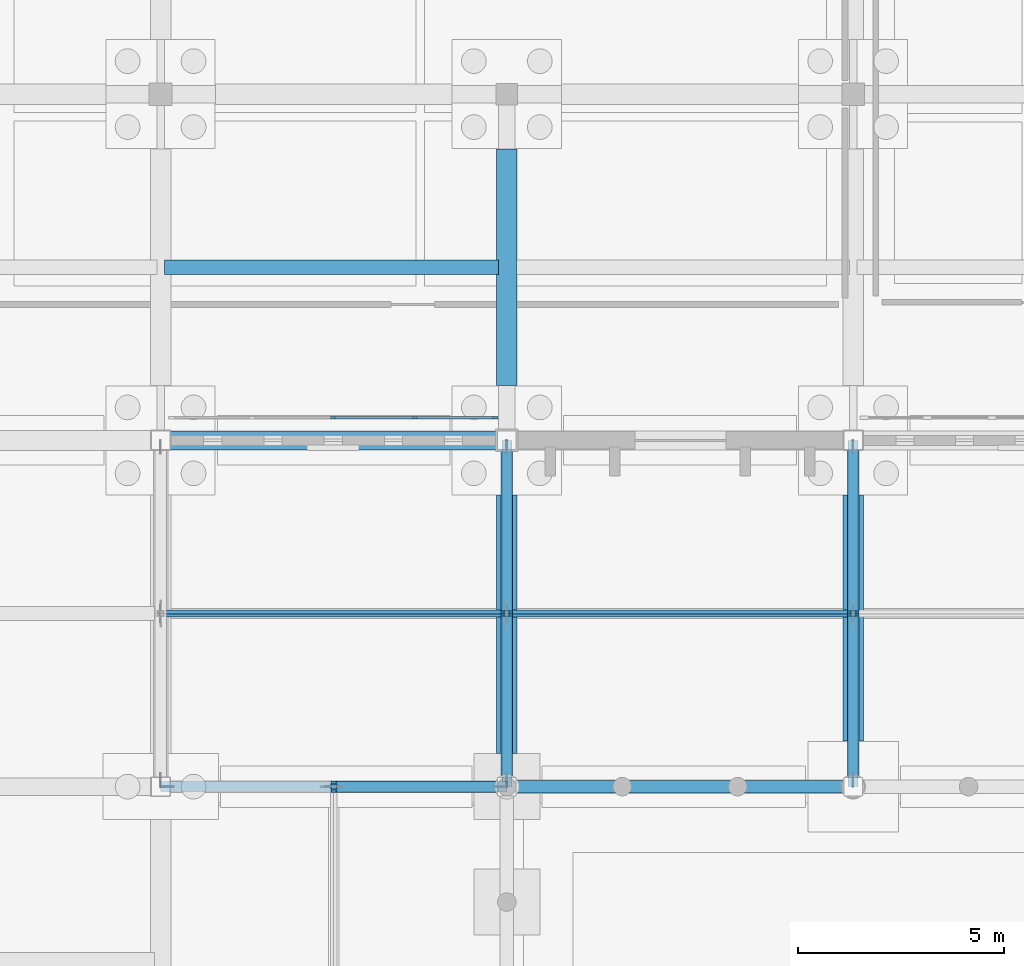
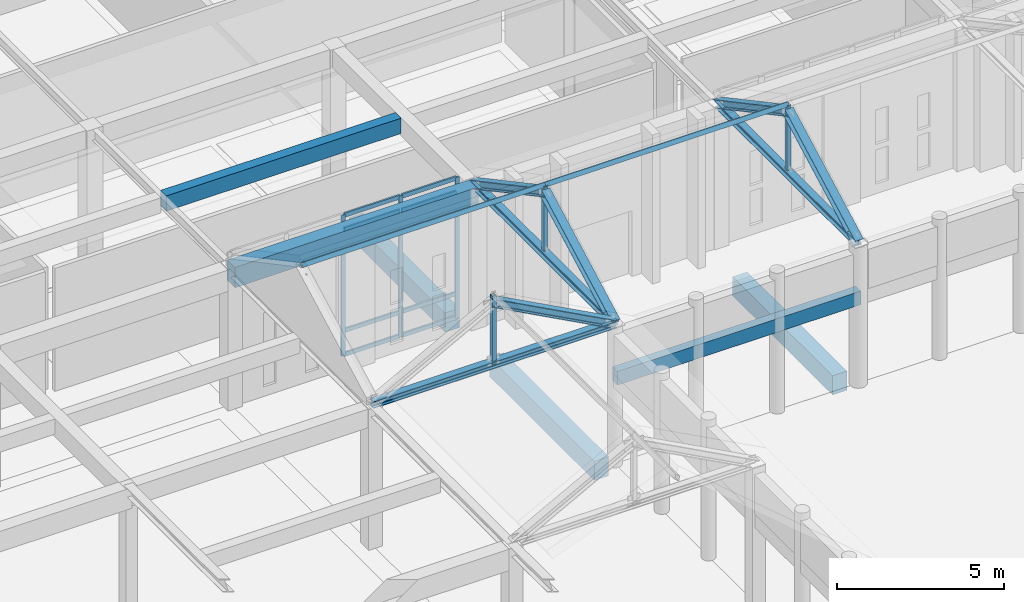
# One storey, part 59 of 143: 24 members, 6 beams, 1 element without a shape of its own.
"""IFC4 building model written with IfcOpenShell, lengths in metres."""

from ifc_helpers import new_model, si_unit, direction, frame, origin, origin_2d, place, context, subcontext, project, spatial, rectangle, hollow_rectangle, i_section, extrude, material, layer, layer_set, material_profile, profile_set, type_object, element, aggregate, save


model = new_model("IFC4")

# Units and contexts
model_context = context("Model", 3, precision=1e-05, world=origin(), true_north=direction((0.0, 1.0)))
body_context = subcontext(model_context, "Body", "Model", "MODEL_VIEW")
ifc_project = project(units=[si_unit("LENGTHUNIT", "METRE"), si_unit("AREAUNIT", "SQUARE_METRE"), si_unit("VOLUMEUNIT", "CUBIC_METRE"), si_unit("PLANEANGLEUNIT", "RADIAN"), si_unit("MASSUNIT", "GRAM", prefix="KILO")], contexts=[model_context])

# Site, building, storey
site_placement = place(None, origin())
site = spatial("IfcSite", under=ifc_project, at=site_placement, CompositionType="ELEMENT")
building_placement = place(site_placement, origin())
building = spatial("IfcBuilding", under=site, at=building_placement, Name="Kveldsbrygga Polytechnic", CompositionType="ELEMENT")
storey_placement = place(building_placement, origin())
storey = spatial("IfcBuildingStorey", under=building, at=storey_placement, Name="L00", CompositionType="ELEMENT", Elevation=0.0)

# Beams
ifc_material_1 = material(Name="Concrete C35/45", Category="concrete")
ifc_material_profile_1 = material_profile(ifc_material_1, rectangle(XDim=0.4599609375, YDim=0.739990234375, at=origin_2d()), Name="RC 460x740")
ifc_profile_set_1 = profile_set([ifc_material_profile_1], Name="Concrete C35/45")
beam_type_1 = type_object("IfcBeamType", Name="BM-RC-460x740", PredefinedType="BEAM", material=ifc_profile_set_1)
beam_1_placement = place(storey_placement, frame((75.60009765625, 84.0, 4.77001953125), z_axis=(1.0, 0.0, 0.0), x_axis=(0.0, 1.0, 0.0)))
element("IfcBeam", 1, at=beam_1_placement, inside=storey, type_object=beam_type_1, Name="Primary Beam BMX-L00-09to10-10", PredefinedType="BEAM", context=body_context, shape_type="SweptSolid", body=[
    extrude(rectangle(XDim=0.4599609375, YDim=0.739990234375, at=origin_2d()), origin(), (0.0, 0.0, 1.0), 8.39990234375),
])
ifc_material_profile_2 = material_profile(ifc_material_1, rectangle(XDim=0.5, YDim=0.699951171875, at=origin_2d()), Name="RC 500x700")
ifc_profile_set_2 = profile_set([ifc_material_profile_2], Name="Concrete C35/45")
beam_type_2 = type_object("IfcBeamType", Name="BM-TIE-500x700", PredefinedType="BEAM", material=ifc_profile_set_2)
beam_2_placement = place(storey_placement, frame((84.0, 76.402099609375, -0.669921875), z_axis=(0.0, 1.0, 0.0), x_axis=(-1.0, 0.0, 0.0)))
element("IfcBeam", 2, at=beam_2_placement, inside=storey, type_object=beam_type_2, Name="Ground Tie Beam GB-L00-Y-10-09", PredefinedType="BEAM", context=body_context, shape_type="SweptSolid", body=[
    extrude(rectangle(XDim=0.5, YDim=0.699951171875, at=origin_2d()), origin(), (0.0, 0.0, 1.0), 6.27099609375),
])
beam_3_placement = place(storey_placement, frame((84.0, 85.326904296875, -0.669921875), z_axis=(0.0, 1.0, 0.0), x_axis=(-1.0, 0.0, 0.0)))
element("IfcBeam", 3, at=beam_3_placement, inside=storey, type_object=beam_type_2, Name="Ground Tie Beam GB-L00-Y-10-10", PredefinedType="BEAM", context=body_context, shape_type="SweptSolid", body=[
    extrude(rectangle(XDim=0.5, YDim=0.699951171875, at=origin_2d()), origin(), (0.0, 0.0, 1.0), 5.74609375),
])
beam_4_placement = place(storey_placement, frame((92.39990234375, 76.701904296875, -0.669921875), z_axis=(0.0, 1.0, 0.0), x_axis=(-1.0, 0.0, 0.0)))
element("IfcBeam", 4, at=beam_4_placement, inside=storey, type_object=beam_type_2, Name="Ground Tie Beam GB-L00-Y-11-09", PredefinedType="BEAM", context=body_context, shape_type="SweptSolid", body=[
    extrude(rectangle(XDim=0.5, YDim=0.699951171875, at=origin_2d()), origin(), (0.0, 0.0, 1.0), 5.97119140625),
])

# Curtain wall, members
ifc_material_2 = material(Name="Anodised aluminium AW-6060", Category="aluminium")
ifc_layer = layer(ifc_material_2, 0.199951171875)
ifc_layer_set = layer_set([ifc_layer], Name="Anodised aluminium AW-6060")
curtain_wall_type = type_object("IfcCurtainWallType", Name="CW-LANC-E", PredefinedType="USERDEFINED", material=ifc_layer_set)
curtain_wall_placement = place(storey_placement, origin())
curtain_wall = element("IfcCurtainWall", 5, at=curtain_wall_placement, inside=storey, type_object=curtain_wall_type, Name="Curtain Wall CW-L00-X-09-10", ObjectType="UNITISED CURTAIN WALL", PredefinedType="USERDEFINED")
ifc_material_profile_3 = material_profile(ifc_material_2, rectangle(XDim=0.06005859375, YDim=0.139892578125, at=origin_2d()), Name="ALU 60x140")
ifc_profile_set_3 = profile_set([ifc_material_profile_3], Name="Anodised aluminium AW-6060")
member_type_1 = type_object("IfcMemberType", Name="CW-MUL-140", PredefinedType="MULLION", material=ifc_profile_set_3)
member_1_placement = place(storey_placement, frame((79.78759765625, 84.550048828125, 0.0), z_axis=(0.0, 0.0, 1.0), x_axis=(0.0, 1.0, 0.0)))
member_1 = element("IfcMember", 6, at=member_1_placement, type_object=member_type_1, Name="CW-05 mullion 3", PredefinedType="MULLION", context=body_context, shape_type="SweptSolid", body=[
    extrude(rectangle(XDim=0.06005859375, YDim=0.139892578125, at=origin_2d()), origin(), (0.0, 0.0, 1.0), 5.139892578125),
])
member_2_placement = place(storey_placement, frame((81.763671875, 84.550048828125, 0.0), z_axis=(0.0, 0.0, 1.0), x_axis=(0.0, 1.0, 0.0)))
member_2 = element("IfcMember", 7, at=member_2_placement, type_object=member_type_1, Name="CW-05 mullion 4", PredefinedType="MULLION", context=body_context, shape_type="SweptSolid", body=[
    extrude(rectangle(XDim=0.06005859375, YDim=0.139892578125, at=origin_2d()), origin(), (0.0, 0.0, 1.0), 5.139892578125),
])
member_3_placement = place(storey_placement, frame((83.7099609375, 84.550048828125, 0.0), z_axis=(0.0, 0.0, 1.0), x_axis=(0.0, 1.0, 0.0)))
member_3 = element("IfcMember", 8, at=member_3_placement, type_object=member_type_1, Name="CW-05 mullion 5", PredefinedType="MULLION", context=body_context, shape_type="SweptSolid", body=[
    extrude(rectangle(XDim=0.06005859375, YDim=0.139892578125, at=origin_2d()), origin(), (0.0, 0.0, 1.0), 5.139892578125),
])
ifc_material_profile_4 = material_profile(ifc_material_2, rectangle(XDim=0.06005859375, YDim=0.14990234375, at=origin_2d()), Name="ALU 60x150")
ifc_profile_set_4 = profile_set([ifc_material_profile_4], Name="Anodised aluminium AW-6060")
member_type_2 = type_object("IfcMemberType", Name="CW-TRN-150", PredefinedType="USERDEFINED", material=ifc_profile_set_4)
member_4_placement = place(storey_placement, frame((79.8173828125, 84.550048828125, 0.030029296875), z_axis=(1.0, 0.0, 0.0), x_axis=(0.0, 1.0, 0.0)))
member_4 = element("IfcMember", 9, at=member_4_placement, type_object=member_type_2, Name="CW-05 transom 3.1", ObjectType="TRANSOM", PredefinedType="USERDEFINED", context=body_context, shape_type="SweptSolid", body=[
    extrude(rectangle(XDim=0.06005859375, YDim=0.14990234375, at=origin_2d()), origin(), (0.0, 0.0, 1.0), 1.916259765625),
])
member_5_placement = place(storey_placement, frame((79.8173828125, 84.550048828125, 0.89990234375), z_axis=(1.0, 0.0, 0.0), x_axis=(0.0, 1.0, 0.0)))
member_5 = element("IfcMember", 10, at=member_5_placement, type_object=member_type_2, Name="CW-05 transom 3.2", ObjectType="TRANSOM", PredefinedType="USERDEFINED", context=body_context, shape_type="SweptSolid", body=[
    extrude(rectangle(XDim=0.06005859375, YDim=0.14990234375, at=origin_2d()), origin(), (0.0, 0.0, 1.0), 1.916259765625),
])
member_6_placement = place(storey_placement, frame((79.8173828125, 84.550048828125, 4.590087890625), z_axis=(1.0, 0.0, 0.0), x_axis=(0.0, 1.0, 0.0)))
member_6 = element("IfcMember", 11, at=member_6_placement, type_object=member_type_2, Name="CW-05 transom 3.3", ObjectType="TRANSOM", PredefinedType="USERDEFINED", context=body_context, shape_type="SweptSolid", body=[
    extrude(rectangle(XDim=0.06005859375, YDim=0.14990234375, at=origin_2d()), origin(), (0.0, 0.0, 1.0), 1.916259765625),
])
member_7_placement = place(storey_placement, frame((79.8173828125, 84.550048828125, 5.110107421875), z_axis=(1.0, 0.0, 0.0), x_axis=(0.0, 1.0, 0.0)))
member_7 = element("IfcMember", 12, at=member_7_placement, type_object=member_type_2, Name="CW-05 transom 3.4", ObjectType="TRANSOM", PredefinedType="USERDEFINED", context=body_context, shape_type="SweptSolid", body=[
    extrude(rectangle(XDim=0.06005859375, YDim=0.14990234375, at=origin_2d()), origin(), (0.0, 0.0, 1.0), 1.916259765625),
])
member_8_placement = place(storey_placement, frame((81.793701171875, 84.550048828125, 0.030029296875), z_axis=(1.0, 0.0, 0.0), x_axis=(0.0, 1.0, 0.0)))
member_8 = element("IfcMember", 13, at=member_8_placement, type_object=member_type_2, Name="CW-05 transom 4.1", ObjectType="TRANSOM", PredefinedType="USERDEFINED", context=body_context, shape_type="SweptSolid", body=[
    extrude(rectangle(XDim=0.06005859375, YDim=0.14990234375, at=origin_2d()), origin(), (0.0, 0.0, 1.0), 1.88623046875),
])
member_9_placement = place(storey_placement, frame((81.793701171875, 84.550048828125, 0.89990234375), z_axis=(1.0, 0.0, 0.0), x_axis=(0.0, 1.0, 0.0)))
member_9 = element("IfcMember", 14, at=member_9_placement, type_object=member_type_2, Name="CW-05 transom 4.2", ObjectType="TRANSOM", PredefinedType="USERDEFINED", context=body_context, shape_type="SweptSolid", body=[
    extrude(rectangle(XDim=0.06005859375, YDim=0.14990234375, at=origin_2d()), origin(), (0.0, 0.0, 1.0), 1.88623046875),
])
member_10_placement = place(storey_placement, frame((81.793701171875, 84.550048828125, 4.590087890625), z_axis=(1.0, 0.0, 0.0), x_axis=(0.0, 1.0, 0.0)))
member_10 = element("IfcMember", 15, at=member_10_placement, type_object=member_type_2, Name="CW-05 transom 4.3", ObjectType="TRANSOM", PredefinedType="USERDEFINED", context=body_context, shape_type="SweptSolid", body=[
    extrude(rectangle(XDim=0.06005859375, YDim=0.14990234375, at=origin_2d()), origin(), (0.0, 0.0, 1.0), 1.88623046875),
])
member_11_placement = place(storey_placement, frame((81.793701171875, 84.550048828125, 5.110107421875), z_axis=(1.0, 0.0, 0.0), x_axis=(0.0, 1.0, 0.0)))
member_11 = element("IfcMember", 16, at=member_11_placement, type_object=member_type_2, Name="CW-05 transom 4.4", ObjectType="TRANSOM", PredefinedType="USERDEFINED", context=body_context, shape_type="SweptSolid", body=[
    extrude(rectangle(XDim=0.06005859375, YDim=0.14990234375, at=origin_2d()), origin(), (0.0, 0.0, 1.0), 1.88623046875),
])
aggregate(curtain_wall, [member_1, member_2, member_3, member_4, member_5, member_6, member_7, member_8, member_9, member_10, member_11])

# Beams
ifc_material_profile_5 = material_profile(ifc_material_1, rectangle(XDim=0.340087890625, YDim=0.56005859375, at=origin_2d()), Name="RC 340x560")
ifc_profile_set_5 = profile_set([ifc_material_profile_5], Name="Concrete C35/45")
beam_type_3 = type_object("IfcBeamType", Name="JST-RC-340x560", PredefinedType="JOIST", material=ifc_profile_set_5)
beam_5_placement = place(storey_placement, frame((75.68994140625, 88.199951171875, 4.860107421875), z_axis=(1.0, 0.0, 0.0), x_axis=(0.0, 1.0, 0.0)))
element("IfcBeam", 17, at=beam_5_placement, inside=storey, type_object=beam_type_3, Name="Secondary Joist JST-L00-09-10", PredefinedType="JOIST", context=body_context, shape_type="SweptSolid", body=[
    extrude(rectangle(XDim=0.340087890625, YDim=0.56005859375, at=origin_2d()), origin(), (0.0, 0.0, 1.0), 8.110107421875),
])
ifc_material_profile_6 = material_profile(ifc_material_1, rectangle(XDim=0.300048828125, YDim=0.5, at=origin_2d()), Name="RC 300x500")
ifc_profile_set_6 = profile_set([ifc_material_profile_6], Name="Concrete C35/45")
beam_type_4 = type_object("IfcBeamType", Name="LNT-RC-300x500", PredefinedType="LINTEL", material=ifc_profile_set_6)
beam_6_placement = place(storey_placement, frame((84.0, 75.60009765625, 3.199951171875), z_axis=(1.0, 0.0, 0.0), x_axis=(0.0, 1.0, 0.0)))
element("IfcBeam", 18, at=beam_6_placement, inside=storey, type_object=beam_type_4, Name="Cloister Arcade Arch Lintel Beam BM-ARC-HDR-12", PredefinedType="LINTEL", context=body_context, shape_type="SweptSolid", body=[
    extrude(rectangle(XDim=0.300048828125, YDim=0.5, at=origin_2d()), origin(), (0.0, 0.0, 1.0), 8.39990234375),
])

# Members
ifc_material_3 = material(Name="Steel S355", Category="steel")
ifc_material_profile_7 = material_profile(ifc_material_3, hollow_rectangle(XDim=0.10009765625, YDim=0.14990234375, WallThickness=0.008056640625, at=origin_2d()), Name="RHS 150x100x8.0")
ifc_profile_set_7 = profile_set([ifc_material_profile_7], Name="Steel S355")
member_type_3 = type_object("IfcMemberType", Name="PRL-RHS150", PredefinedType="PURLIN", material=ifc_profile_set_7)
for number, where, z_axis, x_axis, name in (
    (19, (75.60009765625, 79.800048828125, 7.6337890625), (1.0, 0.0, 0.0), (0.0, 0.881479888517, -0.472221564671), "Roof Purlin ARC-EN-PRL-1-1"),
    (20, (84.0, 79.800048828125, 7.6337890625), (1.0, 0.0, 0.0), (0.0, 0.881479888517, -0.472221564671), "Roof Purlin ARC-EN-PRL-2-1"),
):
    element("IfcMember", number, at=place(storey_placement, frame(where, z_axis=z_axis, x_axis=x_axis)), inside=storey, type_object=member_type_3, Name=name, PredefinedType="PURLIN", context=body_context, shape_type="SweptSolid", body=[
        extrude(hollow_rectangle(XDim=0.10009765625, YDim=0.14990234375, WallThickness=0.008056640625, at=origin_2d()), origin(), (0.0, 0.0, 1.0), 8.39990234375),
    ])
ifc_material_profile_8 = material_profile(ifc_material_3, i_section(OverallWidth=0.239990234375, OverallDepth=0.239990234375, WebThickness=0.010009765625, FlangeThickness=0.01708984375, FilletRadius=0.02099609375, at=origin_2d()), Name="HEB 240")
ifc_profile_set_8 = profile_set([ifc_material_profile_8], Name="Steel S355")
member_type_4 = type_object("IfcMemberType", Name="TR-BOT-HEB240", PredefinedType="CHORD", material=ifc_profile_set_8)
for number, where, z_axis, x_axis, name in (
    (21, (84.0, 75.60009765625, 5.139892578125), (0.0, 1.0, 0.0), (-1.0, 0.0, 0.0), "Truss Bottom Chord ARC-EN-T02-BC-1"),
    (22, (92.39990234375, 75.60009765625, 5.139892578125), (0.0, 1.0, 0.0), (-1.0, 0.0, 0.0), "Truss Bottom Chord ARC-EN-T03-BC-1"),
    (23, (75.60009765625, 75.60009765625, 5.139892578125), (1.0, 0.0, 0.0), (0.0, 1.0, 0.0), "Truss Bottom Chord ARC-EW-T06-BC-1"),
):
    element("IfcMember", number, at=place(storey_placement, frame(where, z_axis=z_axis, x_axis=x_axis)), inside=storey, type_object=member_type_4, Name=name, PredefinedType="CHORD", context=body_context, shape_type="SweptSolid", body=[
        extrude(i_section(OverallWidth=0.239990234375, OverallDepth=0.239990234375, WebThickness=0.010009765625, FlangeThickness=0.01708984375, FilletRadius=0.02099609375, at=origin_2d()), origin(), (0.0, 0.0, 1.0), 8.39990234375),
    ])
ifc_material_profile_9 = material_profile(ifc_material_3, hollow_rectangle(XDim=0.139892578125, YDim=0.139892578125, WallThickness=0.008056640625, at=origin_2d()), Name="SHS 140x140x8.0")
ifc_profile_set_9 = profile_set([ifc_material_profile_9], Name="Steel S355")
member_type_5 = type_object("IfcMemberType", Name="TR-POST-SHS140", PredefinedType="STRUT", material=ifc_profile_set_9)
for number, where, z_axis, x_axis, name in (
    (24, (84.0, 79.800048828125, 5.139892578125), (0.0, 0.0, 1.0), (1.0, 0.0, 0.0), "Truss Vertical ARC-EN-T02-VT-1"),
    (25, (92.39990234375, 79.800048828125, 5.139892578125), (0.0, 0.0, 1.0), (1.0, 0.0, 0.0), "Truss Vertical ARC-EN-T03-VT-1"),
    (26, (79.800048828125, 75.60009765625, 5.139892578125), (0.0, 0.0, 1.0), (1.0, 0.0, 0.0), "Truss Vertical ARC-EW-T06-VT-1"),
):
    element("IfcMember", number, at=place(storey_placement, frame(where, z_axis=z_axis, x_axis=x_axis)), inside=storey, type_object=member_type_5, Name=name, PredefinedType="STRUT", context=body_context, shape_type="SweptSolid", body=[
        extrude(hollow_rectangle(XDim=0.139892578125, YDim=0.139892578125, WallThickness=0.008056640625, at=origin_2d()), origin(), (0.0, 0.0, 1.0), 2.493896484375),
    ])
ifc_material_profile_10 = material_profile(ifc_material_3, i_section(OverallWidth=0.280029296875, OverallDepth=0.280029296875, WebThickness=0.010498046875, FlangeThickness=0.01806640625, FilletRadius=0.02392578125, at=origin_2d()), Name="HEB 280")
ifc_profile_set_10 = profile_set([ifc_material_profile_10], Name="Steel S355")
member_type_6 = type_object("IfcMemberType", Name="TR-TOP-HEB280", PredefinedType="CHORD", material=ifc_profile_set_10)
for number, where, z_axis, x_axis, name in (
    (27, (84.0, 75.60009765625, 5.139892578125), (0.0, 0.881477684796, 0.472225678258), (-1.0, 0.0, 0.0), "Truss Top Chord ARC-EN-T02-TC-1"),
    (28, (84.0, 79.800048828125, 7.389892578125), (0.0, 0.881477684796, -0.472225678258), (-1.0, 0.0, 0.0), "Truss Top Chord ARC-EN-T02-TC-2"),
    (29, (92.39990234375, 75.60009765625, 5.139892578125), (0.0, 0.881477684796, 0.472225678258), (-1.0, 0.0, 0.0), "Truss Top Chord ARC-EN-T03-TC-1"),
    (30, (92.39990234375, 79.800048828125, 7.389892578125), (0.0, 0.881477684796, -0.472225678258), (-1.0, 0.0, 0.0), "Truss Top Chord ARC-EN-T03-TC-2"),
    (31, (79.800048828125, 75.60009765625, 7.389892578125), (0.881477684796, 0.0, -0.472225678258), (0.0, 1.0, 0.0), "Truss Top Chord ARC-EW-T06-TC-2"),
):
    element("IfcMember", number, at=place(storey_placement, frame(where, z_axis=z_axis, x_axis=x_axis)), inside=storey, type_object=member_type_6, Name=name, PredefinedType="CHORD", context=body_context, shape_type="SweptSolid", body=[
        extrude(i_section(OverallWidth=0.280029296875, OverallDepth=0.280029296875, WebThickness=0.010498046875, FlangeThickness=0.01806640625, FilletRadius=0.02392578125, at=origin_2d()), origin(), (0.0, 0.0, 1.0), 4.7646484375),
    ])

save(model, "model.ifc")
